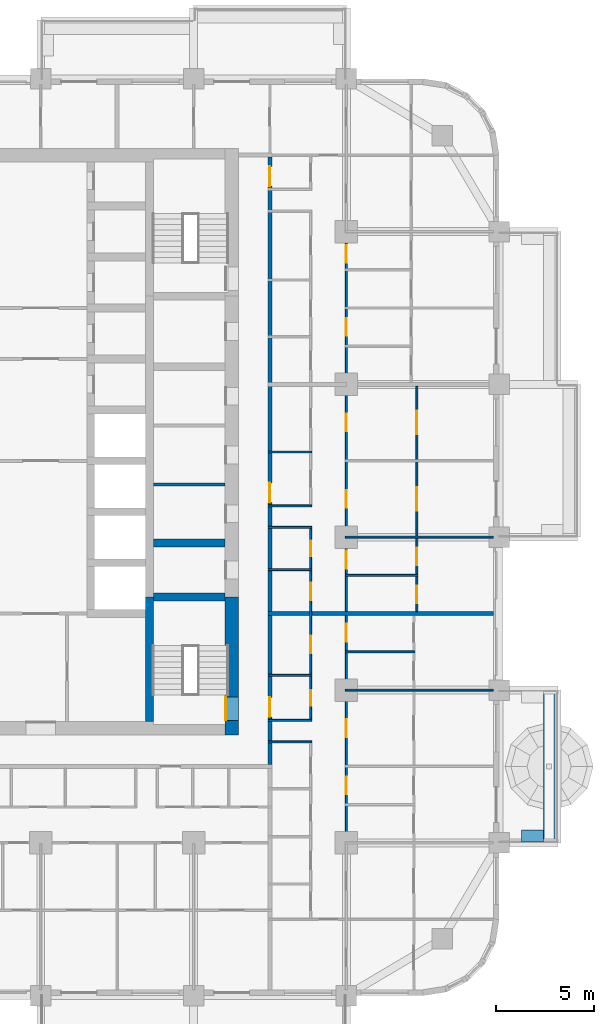
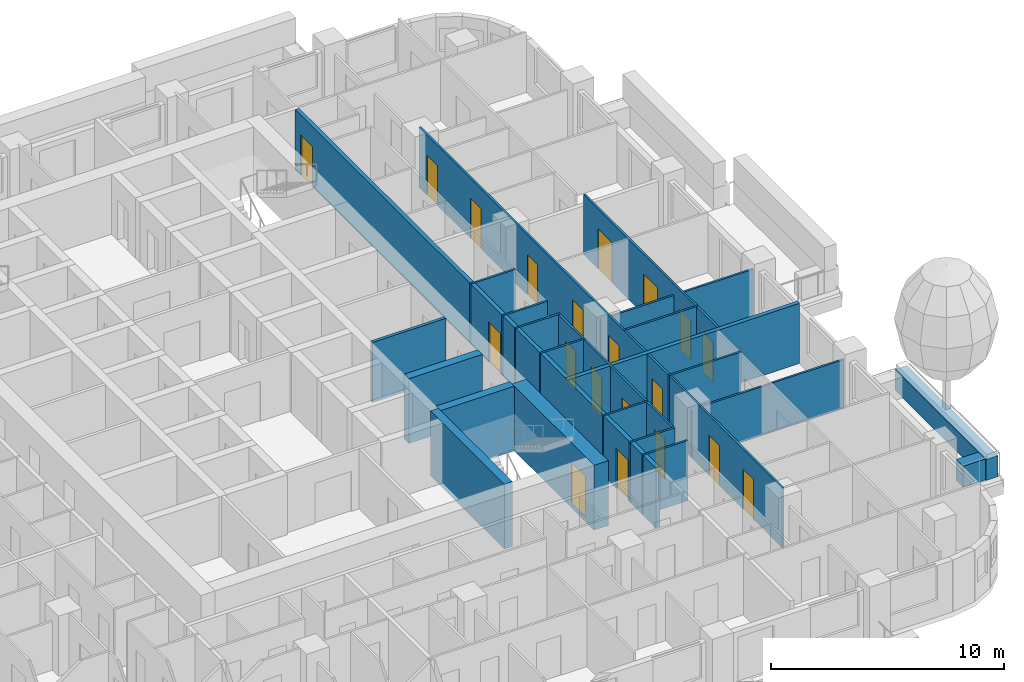
# One storey, part 9 of 19: 23 walls, 20 doors, 20 openings.
"""IFC4 building model written with IfcOpenShell, lengths in metres."""

import ifcopenshell
import ifcopenshell.guid

model = None  # the IFC model being written
_history = None  # IfcOwnerHistory: only IFC2X3 demands one
_inside = {}  # id of a spatial element -> (the spatial element, [elements in it])
_under = {}  # id of a project, library or spatial element -> (it, [spatial elements below it])
_declared = {}  # id of a project -> (the project, [libraries it declares])
_typed = {}  # id of a type object -> (the type object, [elements of that type])
_made_of = {}  # id of a material, layer set ... -> (it, [elements and type objects made of it])


def new_model(schema):
    """Start an empty IFC model of exactly this schema.

    Asked for "IFC4X3", IfcOpenShell would pick the latest addendum, in which some entities
    have other attributes; the version numbers below select the first issue.
    IFC2X3 requires an IfcOwnerHistory on every rooted entity: one is made here for all.
    """
    global model, _history
    if schema == "IFC4X3":
        model = ifcopenshell.file(schema_version=(4, 3, 0, 0))
    else:
        model = ifcopenshell.file(schema=schema)
    _inside.clear()
    _under.clear()
    _declared.clear()
    _typed.clear()
    _made_of.clear()
    _history = None
    if model.schema == "IFC2X3":
        org = make("IfcOrganization", Name="unknown")
        user = make(
            "IfcPersonAndOrganization",
            ThePerson=make("IfcPerson", FamilyName="unknown"),
            TheOrganization=org,
        )
        app = make(
            "IfcApplication",
            ApplicationDeveloper=org,
            Version="unknown",
            ApplicationFullName="unknown",
            ApplicationIdentifier="unknown",
        )
        _history = make(
            "IfcOwnerHistory",
            OwningUser=user,
            OwningApplication=app,
            ChangeAction="ADDED",
            CreationDate=0,
        )
    return model


def make(cls, **values):
    """One entity of the class cls with the attributes given. An attribute that is None is left unset."""
    return model.create_entity(
        cls, **{name: value for name, value in values.items() if value is not None}
    )


def rooted(cls, **values):
    """An entity with a GlobalId (a new one), such as an element, a storey or a relation."""
    return make(cls, GlobalId=ifcopenshell.guid.new(), OwnerHistory=_history, **values)


def si_unit(unit_type, name, prefix=None):
    """IfcSIUnit, for example si_unit("LENGTHUNIT", "METRE", prefix="MILLI")."""
    return make("IfcSIUnit", UnitType=unit_type, Prefix=prefix, Name=name)


def assignment(units):
    """IfcUnitAssignment: the units of a project."""
    return None if units is None else make("IfcUnitAssignment", Units=units)


def point(xyz):
    """IfcCartesianPoint."""
    return None if xyz is None else make("IfcCartesianPoint", Coordinates=xyz)


def direction(xyz):
    """IfcDirection."""
    return None if xyz is None else make("IfcDirection", DirectionRatios=xyz)


def frame(location, z_axis=None, x_axis=None):
    """IfcAxis2Placement3D, a coordinate frame: its origin and axes. An axis left out is left unset."""
    return make(
        "IfcAxis2Placement3D",
        Location=point(location),
        Axis=direction(z_axis),
        RefDirection=direction(x_axis),
    )


def frame_2d(location, x_axis=None):
    """IfcAxis2Placement2D, a coordinate frame in the plane: its origin and x axis."""
    return make(
        "IfcAxis2Placement2D", Location=point(location), RefDirection=direction(x_axis)
    )


def origin():
    """The frame at (0, 0, 0) with its axes left unset."""
    return frame((0.0, 0.0, 0.0))


def place(relative_to, where):
    """IfcLocalPlacement: puts the frame where relative to a parent placement (None: the world)."""
    return make(
        "IfcLocalPlacement", PlacementRelTo=relative_to, RelativePlacement=where
    )


def context(
    kind, dimensions, precision=None, world=None, true_north=None, identifier=None
):
    """IfcGeometricRepresentationContext, for example the 3D "Model" context."""
    return make(
        "IfcGeometricRepresentationContext",
        ContextIdentifier=identifier,
        ContextType=kind,
        CoordinateSpaceDimension=dimensions,
        Precision=precision,
        WorldCoordinateSystem=world,
        TrueNorth=true_north,
    )


def subcontext(parent, identifier, kind, view, scale=None):
    """IfcGeometricRepresentationSubContext, for example "Body" below "Model"."""
    return make(
        "IfcGeometricRepresentationSubContext",
        ContextIdentifier=identifier,
        ContextType=kind,
        ParentContext=parent,
        TargetScale=scale,
        TargetView=view,
    )


def project(units=None, contexts=None):
    """IfcProject with its units and contexts."""
    return rooted(
        "IfcProject",
        Name="project",
        RepresentationContexts=contexts,
        UnitsInContext=assignment(units),
    )


def spatial(cls, under=None, at=None, **own):
    """A site, building, storey or space (cls), placed at a placement, below another one or the project."""
    s = rooted(cls, ObjectPlacement=at, **own)
    if under is not None:
        _under.setdefault(under.id(), (under, []))[1].append(s)
    return s


def profile(cls, at=None, kind="AREA", **sizes):
    """A parametric profile (cls). Its sizes go by their IFC names, for example OverallWidth=200.0."""
    return make(cls, ProfileType=kind, Position=at, **sizes)


def rectangle(**sizes):
    """IfcRectangleProfileDef."""
    return profile("IfcRectangleProfileDef", **sizes)


def extrude(swept, where, along, depth):
    """IfcExtrudedAreaSolid: the profile swept, set in the frame where, extruded along a direction by depth."""
    return make(
        "IfcExtrudedAreaSolid",
        SweptArea=swept,
        Position=where,
        ExtrudedDirection=direction(along),
        Depth=depth,
    )


def shape(context_of_items, identifier, shape_type, items):
    """IfcShapeRepresentation: the items that make up one representation, for example the "Body"."""
    return make(
        "IfcShapeRepresentation",
        ContextOfItems=context_of_items,
        RepresentationIdentifier=identifier,
        RepresentationType=shape_type,
        Items=items,
    )


def material(Name=None, Category=None):
    """IfcMaterial."""
    return make("IfcMaterial", Name=Name, Category=Category)


def layer(
    of_material, thickness, ventilated=None, Name=None, Category=None, Priority=None
):
    """IfcMaterialLayer: one layer of a wall or slab, of a material (None: an air gap)."""
    return make(
        "IfcMaterialLayer",
        Material=of_material,
        LayerThickness=thickness,
        IsVentilated=ventilated,
        Name=Name,
        Category=Category,
        Priority=Priority,
    )


def layer_set(layers, Name=None):
    """IfcMaterialLayerSet."""
    return make("IfcMaterialLayerSet", MaterialLayers=layers, LayerSetName=Name)


def made_of(thing, what):
    """Note that an element or type object is made of a material, layer set ...; save() writes the relation."""
    if what is not None:
        _made_of.setdefault(what.id(), (what, []))[1].append(thing)
    return thing


def type_object(cls, material=None, **own):
    """A type object (cls), such as IfcWallType, which elements share."""
    return made_of(rooted(cls, **own), material)


def element(
    cls,
    number,
    at=None,
    inside=None,
    cuts=None,
    type_object=None,
    material=None,
    context=None,
    identifier="Body",
    shape_type=None,
    held_by="IfcProductDefinitionShape",
    body=None,
    shapes=None,
    **own,
):
    """One element of the class cls, such as IfcWall. Its Tag is "e" and its number.

    at: its placement. inside: the storey or other place that contains it. cuts: it is an
    opening in that element (IfcRelVoidsElement). A single representation is given by context,
    identifier, shape_type and body (its items); several are given by shapes. held_by: the class
    of the entity that holds the representations. save() writes the other relations.
    """
    e = rooted(cls, Tag="e%d" % number, ObjectPlacement=at, **own)
    if body is not None:
        shapes = [shape(context, identifier, shape_type, body)]
    if shapes is not None:
        e.Representation = make(held_by, Representations=shapes)
    if inside is not None:
        _inside.setdefault(inside.id(), (inside, []))[1].append(e)
    if cuts is not None:
        rooted(
            "IfcRelVoidsElement", RelatingBuildingElement=cuts, RelatedOpeningElement=e
        )
    if type_object is not None:
        _typed.setdefault(type_object.id(), (type_object, []))[1].append(e)
    return made_of(e, material)


def fill(opening, filler):
    """IfcRelFillsElement: the door or window that sits in an opening."""
    return rooted(
        "IfcRelFillsElement",
        RelatingOpeningElement=opening,
        RelatedBuildingElement=filler,
    )


def aggregate(whole, parts):
    """IfcRelAggregates: a whole, such as a stair, and the parts it consists of."""
    return rooted("IfcRelAggregates", RelatingObject=whole, RelatedObjects=parts)


def save(model, path):
    """Write the relations noted so far, then the file.

    IfcRelAggregates (storeys below a building ...), IfcRelContainedInSpatialStructure (elements
    in a storey), IfcRelDefinesByType, IfcRelAssociatesMaterial and IfcRelDeclares: one each for
    every whole, place, type object, material and project.
    """
    for whole, parts in _under.values():
        aggregate(whole, parts)
    for where, things in _inside.values():
        rooted(
            "IfcRelContainedInSpatialStructure",
            RelatedElements=things,
            RelatingStructure=where,
        )
    for kind, things in _typed.values():
        rooted("IfcRelDefinesByType", RelatedObjects=things, RelatingType=kind)
    for what, things in _made_of.values():
        rooted("IfcRelAssociatesMaterial", RelatedObjects=things, RelatingMaterial=what)
    for by, libraries in _declared.values():
        rooted("IfcRelDeclares", RelatingContext=by, RelatedDefinitions=libraries)
    model.write(path)


model = new_model("IFC4")

# Units and contexts
model_context = context("Model", 3, precision=1e-05, world=origin(), true_north=direction((0.0, 1.0)))
body_context = subcontext(model_context, "Body", "Model", "MODEL_VIEW")
ifc_project = project(units=[si_unit("LENGTHUNIT", "METRE"), si_unit("AREAUNIT", "SQUARE_METRE"), si_unit("VOLUMEUNIT", "CUBIC_METRE"), si_unit("PLANEANGLEUNIT", "RADIAN"), si_unit("MASSUNIT", "GRAM", prefix="KILO")], contexts=[model_context])

# Site, building, storey
site_placement = place(None, origin())
site = spatial("IfcSite", under=ifc_project, at=site_placement, CompositionType="ELEMENT")
building_placement = place(site_placement, origin())
building = spatial("IfcBuilding", under=site, at=building_placement, Name="Ludao Terraces", CompositionType="ELEMENT")
storey_placement = place(building_placement, frame((0.0, 0.0, 36.5)))
storey = spatial("IfcBuildingStorey", under=building, at=storey_placement, Name="L09", CompositionType="ELEMENT", Elevation=36.5)

# Wall, opening, door
ifc_material_1 = material(Name="Concrete C70", Category="concrete")
ifc_layer_1 = layer(ifc_material_1, 0.699951171875)
ifc_layer_set_1 = layer_set([ifc_layer_1], Name="Core wall 700 C70")
wall_type_1 = type_object("IfcWallType", Name="Core wall 700 C70", PredefinedType="SOLIDWALL", material=ifc_layer_set_1)
wall_1_placement = place(storey_placement, frame((94.75, 54.89990234375, -0.25), z_axis=(0.0, 0.0, 1.0), x_axis=(0.0, 1.0, 0.0)))
wall_1 = element("IfcWall", 1, at=wall_1_placement, inside=storey, type_object=wall_type_1, Name="Core wall L09 outer-E-S3", PredefinedType="SOLIDWALL", context=body_context, shape_type="SweptSolid", body=[
    extrude(rectangle(XDim=7.050048828125, YDim=0.699951171875, at=frame_2d((3.52490234375, 0.0))), origin(), (0.0, 0.0, 1.0), 3.39990234375),
])
opening_1_placement = place(wall_1_placement, frame((0.75, 0.0, 0.25)))
opening_1 = element("IfcOpeningElement", 2, at=opening_1_placement, cuts=wall_1, Name="Opening R02-056", PredefinedType="OPENING", context=body_context, shape_type="SweptSolid", body=[
    extrude(rectangle(XDim=1.199951171875, YDim=2.10009765625, at=frame_2d((0.60009765625, 1.050048828125))), frame((0.0, 0.35986328125, 0.0), z_axis=(0.0, -1.0, 0.0), x_axis=(1.0, 0.0, 0.0)), (0.0, 0.0, 1.0), 0.719970703125),
])
ifc_material_2 = material(Name="Steel Q235", Category="steel")
door_type_1 = type_object("IfcDoorType", Name="INT Stair door 1200", OperationType="DOUBLE_DOOR_SINGLE_SWING", PredefinedType="DOOR", material=ifc_material_2)
door_1_placement = place(opening_1_placement, origin())
door_1 = element("IfcDoor", 3, at=door_1_placement, inside=storey, type_object=door_type_1, Name="DOOR 056", OperationType="DOUBLE_DOOR_SINGLE_SWING", OverallHeight=2.10009765625, OverallWidth=1.199951171875, PredefinedType="DOOR", context=body_context, shape_type="SweptSolid", body=[
    extrude(rectangle(XDim=1.199951171875, YDim=2.10009765625, at=frame_2d((0.60009765625, 1.050048828125))), frame((0.0, 0.3349609375, 0.0), z_axis=(0.0, -1.0, 0.0), x_axis=(1.0, 0.0, 0.0)), (0.0, 0.0, 1.0), 0.050048828125),
])
fill(opening_1, door_1)

# Walls
ifc_material_3 = material(Name="Concrete C40", Category="concrete")
ifc_layer_2 = layer(ifc_material_3, 0.60009765625)
ifc_layer_set_2 = layer_set([ifc_layer_2], Name="ENV Planter trough 600")
wall_type_2 = type_object("IfcWallType", Name="ENV Planter trough 600", PredefinedType="USERDEFINED", material=ifc_layer_set_2)
wall_2_placement = place(storey_placement, frame((110.949951171875, 49.39990234375, 0.0), z_axis=(0.0, 0.0, 1.0), x_axis=(0.0, 1.0, 0.0)))
element("IfcWall", 4, at=wall_2_placement, inside=storey, type_object=wall_type_2, Name="PL-L09-E1", ObjectType="PLANTER", PredefinedType="USERDEFINED", context=body_context, shape_type="SweptSolid", body=[
    extrude(rectangle(XDim=7.800048828125, YDim=0.60009765625, at=frame_2d((3.89990234375, 0.0))), origin(), (0.0, 0.0, 1.0), 1.10009765625),
])
wall_3_placement = place(storey_placement, frame((110.64990234375, 49.75, 0.0), z_axis=(0.0, 0.0, 1.0), x_axis=(-1.0, 0.0, 0.0)))
element("IfcWall", 5, at=wall_3_placement, inside=storey, type_object=wall_type_2, Name="PL-L09-E1-SA", ObjectType="PLANTER", PredefinedType="USERDEFINED", context=body_context, shape_type="SweptSolid", body=[
    extrude(rectangle(XDim=1.099853515625, YDim=0.60009765625, at=frame_2d((0.5498046875, 0.0))), origin(), (0.0, 0.0, 1.0), 1.10009765625),
])
ifc_material_4 = material(Name="Fire-rated gypsum plasterboard", Category="gypsum")
ifc_layer_3 = layer(ifc_material_4, 0.012451171875, Category="gypsum")
ifc_material_5 = material(Name="Mineral wool")
ifc_layer_4 = layer(ifc_material_5, 0.10009765625, Name="insulation")
ifc_layer_5 = layer(ifc_material_2, 0.02490234375, Name="stud")
ifc_layer_6 = layer(ifc_material_4, 0.012451171875, Category="gypsum")
ifc_layer_set_3 = layer_set([ifc_layer_3, ifc_layer_4, ifc_layer_5, ifc_layer_6], Name="INT Core partition 150")
wall_type_3 = type_object("IfcWallType", Name="INT Core partition 150", PredefinedType="PARTITIONING", material=ifc_layer_set_3)
wall_4_placement = place(storey_placement, frame((90.75, 67.699951171875, 0.0), z_axis=(0.0, 0.0, 1.0), x_axis=(1.0, 0.0, 0.0)))
element("IfcWall", 6, at=wall_4_placement, inside=storey, type_object=wall_type_3, Name="PW-L09-PW044", PredefinedType="PARTITIONING", context=body_context, shape_type="SweptSolid", body=[
    extrude(rectangle(XDim=3.650146484375, YDim=0.14990234375, at=frame_2d((1.8251953125, 0.0))), origin(), (0.0, 0.0, 1.0), 3.14990234375),
])

# Wall, openings, doors
ifc_material_6 = material(Name="Autoclaved aerated concrete block B06 A3.5", Category="concrete")
ifc_layer_7 = layer(ifc_material_6, 0.199951171875)
ifc_layer_set_4 = layer_set([ifc_layer_7], Name="INT Entrance wall 200")
wall_type_4 = type_object("IfcWallType", Name="INT Entrance wall 200", PredefinedType="PARTITIONING", material=ifc_layer_set_4)
wall_5_placement = place(storey_placement, frame((96.699951171875, 53.400146484375, 0.0), z_axis=(0.0, 0.0, 1.0), x_axis=(0.0, 1.0, 0.0)))
wall_5 = element("IfcWall", 7, at=wall_5_placement, inside=storey, type_object=wall_type_4, Name="PW-L09-PW116", PredefinedType="PARTITIONING", context=body_context, shape_type="SweptSolid", body=[
    extrude(rectangle(XDim=31.0, YDim=0.199951171875, at=frame_2d((15.5, 0.0))), origin(), (0.0, 0.0, 1.0), 3.14990234375),
])
opening_2_placement = place(wall_5_placement, frame((2.425048828125, 0.0, 0.0)))
opening_2 = element("IfcOpeningElement", 8, at=opening_2_placement, cuts=wall_5, Name="Opening R02-057", PredefinedType="OPENING", context=body_context, shape_type="SweptSolid", body=[
    extrude(rectangle(XDim=1.0, YDim=2.10009765625, at=frame_2d((0.5, 1.050048828125))), frame((0.0, 0.10986328125, 0.0), z_axis=(0.0, -1.0, 0.0), x_axis=(1.0, 0.0, 0.0)), (0.0, 0.0, 1.0), 0.219970703125),
])
opening_3_placement = place(wall_5_placement, frame((13.375, 0.0, 0.0)))
opening_3 = element("IfcOpeningElement", 9, at=opening_3_placement, cuts=wall_5, Name="Opening R02-093", PredefinedType="OPENING", context=body_context, shape_type="SweptSolid", body=[
    extrude(rectangle(XDim=1.0, YDim=2.10009765625, at=frame_2d((0.5, 1.050048828125))), frame((0.0, 0.10986328125, 0.0), z_axis=(0.0, -1.0, 0.0), x_axis=(1.0, 0.0, 0.0)), (0.0, 0.0, 1.0), 0.219970703125),
])
opening_4_placement = place(wall_5_placement, frame((29.52490234375, 0.0, 0.0)))
opening_4 = element("IfcOpeningElement", 10, at=opening_4_placement, cuts=wall_5, Name="Opening R02-151", PredefinedType="OPENING", context=body_context, shape_type="SweptSolid", body=[
    extrude(rectangle(XDim=1.0, YDim=2.10009765625, at=frame_2d((0.5, 1.050048828125))), frame((0.0, 0.10986328125, 0.0), z_axis=(0.0, -1.0, 0.0), x_axis=(1.0, 0.0, 0.0)), (0.0, 0.0, 1.0), 0.219970703125),
])
door_type_2 = type_object("IfcDoorType", Name="INT Flat entrance door 1000", OperationType="SINGLE_SWING_LEFT", PredefinedType="DOOR", material=ifc_material_2)
door_2_placement = place(opening_2_placement, origin())
door_2 = element("IfcDoor", 11, at=door_2_placement, inside=storey, type_object=door_type_2, Name="DOOR 057", OperationType="SINGLE_SWING_LEFT", OverallHeight=2.10009765625, OverallWidth=1.0, PredefinedType="DOOR", context=body_context, shape_type="SweptSolid", body=[
    extrude(rectangle(XDim=1.0, YDim=2.10009765625, at=frame_2d((0.5, 1.050048828125))), frame((0.0, 0.02490234375, 0.0), z_axis=(0.0, -1.0, 0.0), x_axis=(1.0, 0.0, 0.0)), (0.0, 0.0, 1.0), 0.050048828125),
])
fill(opening_2, door_2)
door_3_placement = place(opening_3_placement, origin())
door_3 = element("IfcDoor", 12, at=door_3_placement, inside=storey, type_object=door_type_2, Name="DOOR 093", OperationType="SINGLE_SWING_LEFT", OverallHeight=2.10009765625, OverallWidth=1.0, PredefinedType="DOOR", context=body_context, shape_type="SweptSolid", body=[
    extrude(rectangle(XDim=1.0, YDim=2.10009765625, at=frame_2d((0.5, 1.050048828125))), frame((0.0, 0.02490234375, 0.0), z_axis=(0.0, -1.0, 0.0), x_axis=(1.0, 0.0, 0.0)), (0.0, 0.0, 1.0), 0.050048828125),
])
fill(opening_3, door_3)
door_4_placement = place(opening_4_placement, origin())
door_4 = element("IfcDoor", 13, at=door_4_placement, inside=storey, type_object=door_type_2, Name="DOOR 151", OperationType="SINGLE_SWING_LEFT", OverallHeight=2.10009765625, OverallWidth=1.0, PredefinedType="DOOR", context=body_context, shape_type="SweptSolid", body=[
    extrude(rectangle(XDim=1.0, YDim=2.10009765625, at=frame_2d((0.5, 1.050048828125))), frame((0.0, 0.02490234375, 0.0), z_axis=(0.0, -1.0, 0.0), x_axis=(1.0, 0.0, 0.0)), (0.0, 0.0, 1.0), 0.050048828125),
])
fill(opening_4, door_4)

# Walls
ifc_material_7 = material(Name="Gypsum plasterboard", Category="gypsum")
ifc_layer_8 = layer(ifc_material_7, 0.012451171875, Category="gypsum")
ifc_layer_9 = layer(ifc_material_5, 0.06005859375, Name="insulation")
ifc_layer_10 = layer(ifc_material_2, 0.014892578125, Name="stud")
ifc_layer_11 = layer(ifc_material_7, 0.012451171875, Category="gypsum")
ifc_layer_set_5 = layer_set([ifc_layer_8, ifc_layer_9, ifc_layer_10, ifc_layer_11], Name="INT Partition 100")
wall_type_5 = type_object("IfcWallType", Name="INT Partition 100", PredefinedType="PARTITIONING", material=ifc_layer_set_5)
for number, where, z_axis, x_axis, name in (
    (14, (96.60009765625, 54.550048828125, 0.0), (0.0, 0.0, 1.0), (1.0, 0.0, 0.0), "PW-L09-PW021"),
    (15, (96.60009765625, 55.64990234375, 0.0), (0.0, 0.0, 1.0), (1.0, 0.0, 0.0), "PW-L09-PW023"),
):
    element("IfcWall", number, at=place(storey_placement, frame(where, z_axis=z_axis, x_axis=x_axis)), inside=storey, type_object=wall_type_5, Name=name, PredefinedType="PARTITIONING", context=body_context, shape_type="SweptSolid", body=[
        extrude(rectangle(XDim=2.219970703125, YDim=0.10009765625, at=frame_2d((1.10986328125, 0.0))), origin(), (0.0, 0.0, 1.0), 3.14990234375),
    ])
wall_6_placement = place(storey_placement, frame((100.550048828125, 57.199951171875, 0.0), z_axis=(0.0, 0.0, 1.0), x_axis=(1.0, 0.0, 0.0)))
element("IfcWall", 16, at=wall_6_placement, inside=storey, type_object=wall_type_5, Name="PW-L09-PW026", PredefinedType="PARTITIONING", context=body_context, shape_type="SweptSolid", body=[
    extrude(rectangle(XDim=7.550048828125, YDim=0.10009765625, at=frame_2d((3.77490234375, 0.0))), origin(), (0.0, 0.0, 1.0), 2.550048828125),
])
wall_7_placement = place(storey_placement, frame((96.60009765625, 57.949951171875, 0.0), z_axis=(0.0, 0.0, 1.0), x_axis=(1.0, 0.0, 0.0)))
element("IfcWall", 17, at=wall_7_placement, inside=storey, type_object=wall_type_5, Name="PW-L09-PW028", PredefinedType="PARTITIONING", context=body_context, shape_type="SweptSolid", body=[
    extrude(rectangle(XDim=2.219970703125, YDim=0.10009765625, at=frame_2d((1.10986328125, 0.0))), origin(), (0.0, 0.0, 1.0), 3.14990234375),
])
wall_8_placement = place(storey_placement, frame((100.550048828125, 59.14990234375, 0.0), z_axis=(0.0, 0.0, 1.0), x_axis=(1.0, 0.0, 0.0)))
element("IfcWall", 18, at=wall_8_placement, inside=storey, type_object=wall_type_5, Name="PW-L09-PW030", PredefinedType="PARTITIONING", context=body_context, shape_type="SweptSolid", body=[
    extrude(rectangle(XDim=3.550048828125, YDim=0.10009765625, at=frame_2d((1.77490234375, 0.0))), origin(), (0.0, 0.0, 1.0), 3.14990234375),
])
wall_9_placement = place(storey_placement, frame((100.550048828125, 63.050048828125, 0.0), z_axis=(0.0, 0.0, 1.0), x_axis=(1.0, 0.0, 0.0)))
element("IfcWall", 19, at=wall_9_placement, inside=storey, type_object=wall_type_5, Name="PW-L09-PW035", PredefinedType="PARTITIONING", context=body_context, shape_type="SweptSolid", body=[
    extrude(rectangle(XDim=3.699951171875, YDim=0.10009765625, at=frame_2d((1.85009765625, 0.0))), origin(), (0.0, 0.0, 1.0), 3.14990234375),
])
wall_10_placement = place(storey_placement, frame((96.60009765625, 63.35009765625, 0.0), z_axis=(0.0, 0.0, 1.0), x_axis=(1.0, 0.0, 0.0)))
element("IfcWall", 20, at=wall_10_placement, inside=storey, type_object=wall_type_5, Name="PW-L09-PW037", PredefinedType="PARTITIONING", context=body_context, shape_type="SweptSolid", body=[
    extrude(rectangle(XDim=2.219970703125, YDim=0.10009765625, at=frame_2d((1.10986328125, 0.0))), origin(), (0.0, 0.0, 1.0), 3.14990234375),
])
wall_11_placement = place(storey_placement, frame((100.550048828125, 65.0, 0.0), z_axis=(0.0, 0.0, 1.0), x_axis=(1.0, 0.0, 0.0)))
element("IfcWall", 21, at=wall_11_placement, inside=storey, type_object=wall_type_5, Name="PW-L09-PW039", PredefinedType="PARTITIONING", context=body_context, shape_type="SweptSolid", body=[
    extrude(rectangle(XDim=7.550048828125, YDim=0.10009765625, at=frame_2d((3.77490234375, 0.0))), origin(), (0.0, 0.0, 1.0), 2.550048828125),
])
for number, where, z_axis, x_axis, name in (
    (22, (96.60009765625, 65.5, 0.0), (0.0, 0.0, 1.0), (1.0, 0.0, 0.0), "PW-L09-PW040"),
    (23, (96.60009765625, 66.60009765625, 0.0), (0.0, 0.0, 1.0), (1.0, 0.0, 0.0), "PW-L09-PW042"),
    (24, (96.60009765625, 69.35009765625, 0.0), (0.0, 0.0, 1.0), (1.0, 0.0, 0.0), "PW-L09-PW049"),
):
    element("IfcWall", number, at=place(storey_placement, frame(where, z_axis=z_axis, x_axis=x_axis)), inside=storey, type_object=wall_type_5, Name=name, PredefinedType="PARTITIONING", context=body_context, shape_type="SweptSolid", body=[
        extrude(rectangle(XDim=2.219970703125, YDim=0.10009765625, at=frame_2d((1.10986328125, 0.0))), origin(), (0.0, 0.0, 1.0), 3.14990234375),
    ])

# Wall, openings, doors
wall_12_placement = place(storey_placement, frame((98.77001953125, 55.7001953125, 0.0), z_axis=(0.0, 0.0, 1.0), x_axis=(0.0, 1.0, 0.0)))
wall_12 = element("IfcWall", 25, at=wall_12_placement, inside=storey, type_object=wall_type_5, Name="PW-L09-PW119", PredefinedType="PARTITIONING", context=body_context, shape_type="SweptSolid", body=[
    extrude(rectangle(XDim=9.75, YDim=0.10009765625, at=frame_2d((4.875, 0.0))), origin(), (0.0, 0.0, 1.0), 3.14990234375),
])
opening_5_placement = place(wall_12_placement, frame((0.699951171875, 0.0, 0.0)))
opening_5 = element("IfcOpeningElement", 26, at=opening_5_placement, cuts=wall_12, Name="Opening R02-060", PredefinedType="OPENING", context=body_context, shape_type="SweptSolid", body=[
    extrude(rectangle(XDim=0.800048828125, YDim=2.10009765625, at=frame_2d((0.39990234375, 1.050048828125))), frame((0.0, 0.06005859375, 0.0), z_axis=(0.0, -1.0, 0.0), x_axis=(1.0, 0.0, 0.0)), (0.0, 0.0, 1.0), 0.1201171875),
])
opening_6_placement = place(wall_12_placement, frame((3.375, 0.0, 0.0)))
opening_6 = element("IfcOpeningElement", 27, at=opening_6_placement, cuts=wall_12, Name="Opening R02-066", PredefinedType="OPENING", context=body_context, shape_type="SweptSolid", body=[
    extrude(rectangle(XDim=0.89990234375, YDim=2.10009765625, at=frame_2d((0.449951171875, 1.050048828125))), frame((0.0, 0.06005859375, 0.0), z_axis=(0.0, -1.0, 0.0), x_axis=(1.0, 0.0, 0.0)), (0.0, 0.0, 1.0), 0.1201171875),
])
opening_7_placement = place(wall_12_placement, frame((6.074951171875, 0.0, 0.0)))
opening_7 = element("IfcOpeningElement", 28, at=opening_7_placement, cuts=wall_12, Name="Opening R02-075", PredefinedType="OPENING", context=body_context, shape_type="SweptSolid", body=[
    extrude(rectangle(XDim=0.89990234375, YDim=2.10009765625, at=frame_2d((0.449951171875, 1.050048828125))), frame((0.0, 0.06005859375, 0.0), z_axis=(0.0, -1.0, 0.0), x_axis=(1.0, 0.0, 0.0)), (0.0, 0.0, 1.0), 0.1201171875),
])
opening_8_placement = place(wall_12_placement, frame((8.324951171875, 0.0, 0.0)))
opening_8 = element("IfcOpeningElement", 29, at=opening_8_placement, cuts=wall_12, Name="Opening R02-084", PredefinedType="OPENING", context=body_context, shape_type="SweptSolid", body=[
    extrude(rectangle(XDim=0.800048828125, YDim=2.10009765625, at=frame_2d((0.39990234375, 1.050048828125))), frame((0.0, 0.06005859375, 0.0), z_axis=(0.0, -1.0, 0.0), x_axis=(1.0, 0.0, 0.0)), (0.0, 0.0, 1.0), 0.1201171875),
])
ifc_material_8 = material(Name="Timber door leaf", Category="wood")
door_type_3 = type_object("IfcDoorType", Name="INT Bathroom door 900", OperationType="SINGLE_SWING_LEFT", PredefinedType="DOOR", material=ifc_material_8)
door_5_placement = place(opening_7_placement, origin())
door_5 = element("IfcDoor", 30, at=door_5_placement, inside=storey, type_object=door_type_3, Name="DOOR 075", OperationType="SINGLE_SWING_LEFT", OverallHeight=2.10009765625, OverallWidth=0.89990234375, PredefinedType="DOOR", context=body_context, shape_type="SweptSolid", body=[
    extrude(rectangle(XDim=0.89990234375, YDim=2.10009765625, at=frame_2d((0.449951171875, 1.050048828125))), frame((0.0, 0.02490234375, 0.0), z_axis=(0.0, -1.0, 0.0), x_axis=(1.0, 0.0, 0.0)), (0.0, 0.0, 1.0), 0.050048828125),
])
fill(opening_7, door_5)
door_type_4 = type_object("IfcDoorType", Name="INT Room door 900", OperationType="SINGLE_SWING_LEFT", PredefinedType="DOOR", material=ifc_material_8)
door_6_placement = place(opening_6_placement, origin())
door_6 = element("IfcDoor", 31, at=door_6_placement, inside=storey, type_object=door_type_4, Name="DOOR 066", OperationType="SINGLE_SWING_RIGHT", OverallHeight=2.10009765625, OverallWidth=0.89990234375, PredefinedType="DOOR", context=body_context, shape_type="SweptSolid", body=[
    extrude(rectangle(XDim=0.89990234375, YDim=2.10009765625, at=frame_2d((0.449951171875, 1.050048828125))), frame((0.0, 0.02490234375, 0.0), z_axis=(0.0, -1.0, 0.0), x_axis=(1.0, 0.0, 0.0)), (0.0, 0.0, 1.0), 0.050048828125),
])
fill(opening_6, door_6)
door_type_5 = type_object("IfcDoorType", Name="INT Store door 800", OperationType="SINGLE_SWING_LEFT", PredefinedType="DOOR", material=ifc_material_8)
door_7_placement = place(opening_5_placement, origin())
door_7 = element("IfcDoor", 32, at=door_7_placement, inside=storey, type_object=door_type_5, Name="DOOR 060", OperationType="SINGLE_SWING_LEFT", OverallHeight=2.10009765625, OverallWidth=0.800048828125, PredefinedType="DOOR", context=body_context, shape_type="SweptSolid", body=[
    extrude(rectangle(XDim=0.800048828125, YDim=2.10009765625, at=frame_2d((0.39990234375, 1.050048828125))), frame((0.0, 0.02490234375, 0.0), z_axis=(0.0, -1.0, 0.0), x_axis=(1.0, 0.0, 0.0)), (0.0, 0.0, 1.0), 0.050048828125),
])
fill(opening_5, door_7)
door_8_placement = place(opening_8_placement, origin())
door_8 = element("IfcDoor", 33, at=door_8_placement, inside=storey, type_object=door_type_5, Name="DOOR 084", OperationType="SINGLE_SWING_LEFT", OverallHeight=2.10009765625, OverallWidth=0.800048828125, PredefinedType="DOOR", context=body_context, shape_type="SweptSolid", body=[
    extrude(rectangle(XDim=0.800048828125, YDim=2.10009765625, at=frame_2d((0.39990234375, 1.050048828125))), frame((0.0, 0.02490234375, 0.0), z_axis=(0.0, -1.0, 0.0), x_axis=(1.0, 0.0, 0.0)), (0.0, 0.0, 1.0), 0.050048828125),
])
fill(opening_8, door_8)

wall_13_placement = place(storey_placement, frame((100.60009765625, 49.39990234375, 0.0), z_axis=(0.0, 0.0, 1.0), x_axis=(0.0, 1.0, 0.0)))
wall_13 = element("IfcWall", 34, at=wall_13_placement, inside=storey, type_object=wall_type_5, Name="PW-L09-PW122-2", PredefinedType="PARTITIONING", context=body_context, shape_type="SweptSolid", body=[
    extrude(rectangle(XDim=31.2001953125, YDim=0.10009765625, at=frame_2d((15.60009765625, 0.0))), origin(), (0.0, 0.0, 1.0), 3.14990234375),
])
opening_9_placement = place(wall_13_placement, frame((2.47509765625, 0.0, 0.0)))
opening_9 = element("IfcOpeningElement", 35, at=opening_9_placement, cuts=wall_13, Name="Opening R02-045", PredefinedType="OPENING", context=body_context, shape_type="SweptSolid", body=[
    extrude(rectangle(XDim=0.89990234375, YDim=2.10009765625, at=frame_2d((0.449951171875, 1.050048828125))), frame((0.0, 0.06005859375, 0.0), z_axis=(0.0, -1.0, 0.0), x_axis=(1.0, 0.0, 0.0)), (0.0, 0.0, 1.0), 0.1201171875),
])
opening_10_placement = place(wall_13_placement, frame((5.400146484375, 0.0, 0.0)))
opening_10 = element("IfcOpeningElement", 36, at=opening_10_placement, cuts=wall_13, Name="Opening R02-054", PredefinedType="OPENING", context=body_context, shape_type="SweptSolid", body=[
    extrude(rectangle(XDim=0.89990234375, YDim=2.10009765625, at=frame_2d((0.449951171875, 1.050048828125))), frame((0.0, 0.06005859375, 0.0), z_axis=(0.0, -1.0, 0.0), x_axis=(1.0, 0.0, 0.0)), (0.0, 0.0, 1.0), 0.1201171875),
])
opening_11_placement = place(wall_13_placement, frame((10.275146484375, 0.0, 0.0)))
opening_11 = element("IfcOpeningElement", 37, at=opening_11_placement, cuts=wall_13, Name="Opening R02-069", PredefinedType="OPENING", context=body_context, shape_type="SweptSolid", body=[
    extrude(rectangle(XDim=0.89990234375, YDim=2.10009765625, at=frame_2d((0.449951171875, 1.050048828125))), frame((0.0, 0.06005859375, 0.0), z_axis=(0.0, -1.0, 0.0), x_axis=(1.0, 0.0, 0.0)), (0.0, 0.0, 1.0), 0.1201171875),
])
opening_12_placement = place(wall_13_placement, frame((14.000244140625, 0.0, 0.0)))
opening_12 = element("IfcOpeningElement", 38, at=opening_12_placement, cuts=wall_13, Name="Opening R02-080", PredefinedType="OPENING", context=body_context, shape_type="SweptSolid", body=[
    extrude(rectangle(XDim=0.89990234375, YDim=2.10009765625, at=frame_2d((0.449951171875, 1.050048828125))), frame((0.0, 0.06005859375, 0.0), z_axis=(0.0, -1.0, 0.0), x_axis=(1.0, 0.0, 0.0)), (0.0, 0.0, 1.0), 0.1201171875),
])
opening_13_placement = place(wall_13_placement, frame((17.10009765625, 0.0, 0.0)))
opening_13 = element("IfcOpeningElement", 39, at=opening_13_placement, cuts=wall_13, Name="Opening R02-091", PredefinedType="OPENING", context=body_context, shape_type="SweptSolid", body=[
    extrude(rectangle(XDim=0.89990234375, YDim=2.10009765625, at=frame_2d((0.449951171875, 1.050048828125))), frame((0.0, 0.06005859375, 0.0), z_axis=(0.0, -1.0, 0.0), x_axis=(1.0, 0.0, 0.0)), (0.0, 0.0, 1.0), 0.1201171875),
])
opening_14_placement = place(wall_13_placement, frame((21.000244140625, 0.0, 0.0)))
opening_14 = element("IfcOpeningElement", 40, at=opening_14_placement, cuts=wall_13, Name="Opening R02-102", PredefinedType="OPENING", context=body_context, shape_type="SweptSolid", body=[
    extrude(rectangle(XDim=0.89990234375, YDim=2.10009765625, at=frame_2d((0.449951171875, 1.050048828125))), frame((0.0, 0.06005859375, 0.0), z_axis=(0.0, -1.0, 0.0), x_axis=(1.0, 0.0, 0.0)), (0.0, 0.0, 1.0), 0.1201171875),
])
opening_15_placement = place(wall_13_placement, frame((25.875244140625, 0.0, 0.0)))
opening_15 = element("IfcOpeningElement", 41, at=opening_15_placement, cuts=wall_13, Name="Opening R02-124", PredefinedType="OPENING", context=body_context, shape_type="SweptSolid", body=[
    extrude(rectangle(XDim=0.89990234375, YDim=2.10009765625, at=frame_2d((0.449951171875, 1.050048828125))), frame((0.0, 0.06005859375, 0.0), z_axis=(0.0, -1.0, 0.0), x_axis=(1.0, 0.0, 0.0)), (0.0, 0.0, 1.0), 0.1201171875),
])
opening_16_placement = place(wall_13_placement, frame((29.60009765625, 0.0, 0.0)))
opening_16 = element("IfcOpeningElement", 42, at=opening_16_placement, cuts=wall_13, Name="Opening R02-136", PredefinedType="OPENING", context=body_context, shape_type="SweptSolid", body=[
    extrude(rectangle(XDim=0.89990234375, YDim=2.10009765625, at=frame_2d((0.449951171875, 1.050048828125))), frame((0.0, 0.06005859375, 0.0), z_axis=(0.0, -1.0, 0.0), x_axis=(1.0, 0.0, 0.0)), (0.0, 0.0, 1.0), 0.1201171875),
])
door_9_placement = place(opening_9_placement, origin())
door_9 = element("IfcDoor", 43, at=door_9_placement, inside=storey, type_object=door_type_4, Name="DOOR 045", OperationType="SINGLE_SWING_RIGHT", OverallHeight=2.10009765625, OverallWidth=0.89990234375, PredefinedType="DOOR", context=body_context, shape_type="SweptSolid", body=[
    extrude(rectangle(XDim=0.89990234375, YDim=2.10009765625, at=frame_2d((0.449951171875, 1.050048828125))), frame((0.0, 0.02490234375, 0.0), z_axis=(0.0, -1.0, 0.0), x_axis=(1.0, 0.0, 0.0)), (0.0, 0.0, 1.0), 0.050048828125),
])
fill(opening_9, door_9)
door_10_placement = place(opening_10_placement, origin())
door_10 = element("IfcDoor", 44, at=door_10_placement, inside=storey, type_object=door_type_4, Name="DOOR 054", OperationType="SINGLE_SWING_RIGHT", OverallHeight=2.10009765625, OverallWidth=0.89990234375, PredefinedType="DOOR", context=body_context, shape_type="SweptSolid", body=[
    extrude(rectangle(XDim=0.89990234375, YDim=2.10009765625, at=frame_2d((0.449951171875, 1.050048828125))), frame((0.0, 0.02490234375, 0.0), z_axis=(0.0, -1.0, 0.0), x_axis=(1.0, 0.0, 0.0)), (0.0, 0.0, 1.0), 0.050048828125),
])
fill(opening_10, door_10)
door_11_placement = place(opening_11_placement, origin())
door_11 = element("IfcDoor", 45, at=door_11_placement, inside=storey, type_object=door_type_4, Name="DOOR 069", OperationType="SINGLE_SWING_LEFT", OverallHeight=2.10009765625, OverallWidth=0.89990234375, PredefinedType="DOOR", context=body_context, shape_type="SweptSolid", body=[
    extrude(rectangle(XDim=0.89990234375, YDim=2.10009765625, at=frame_2d((0.449951171875, 1.050048828125))), frame((0.0, 0.02490234375, 0.0), z_axis=(0.0, -1.0, 0.0), x_axis=(1.0, 0.0, 0.0)), (0.0, 0.0, 1.0), 0.050048828125),
])
fill(opening_11, door_11)
door_12_placement = place(opening_12_placement, origin())
door_12 = element("IfcDoor", 46, at=door_12_placement, inside=storey, type_object=door_type_4, Name="DOOR 080", OperationType="SINGLE_SWING_RIGHT", OverallHeight=2.10009765625, OverallWidth=0.89990234375, PredefinedType="DOOR", context=body_context, shape_type="SweptSolid", body=[
    extrude(rectangle(XDim=0.89990234375, YDim=2.10009765625, at=frame_2d((0.449951171875, 1.050048828125))), frame((0.0, 0.02490234375, 0.0), z_axis=(0.0, -1.0, 0.0), x_axis=(1.0, 0.0, 0.0)), (0.0, 0.0, 1.0), 0.050048828125),
])
fill(opening_12, door_12)
door_13_placement = place(opening_13_placement, origin())
door_13 = element("IfcDoor", 47, at=door_13_placement, inside=storey, type_object=door_type_4, Name="DOOR 091", OperationType="SINGLE_SWING_RIGHT", OverallHeight=2.10009765625, OverallWidth=0.89990234375, PredefinedType="DOOR", context=body_context, shape_type="SweptSolid", body=[
    extrude(rectangle(XDim=0.89990234375, YDim=2.10009765625, at=frame_2d((0.449951171875, 1.050048828125))), frame((0.0, 0.02490234375, 0.0), z_axis=(0.0, -1.0, 0.0), x_axis=(1.0, 0.0, 0.0)), (0.0, 0.0, 1.0), 0.050048828125),
])
fill(opening_13, door_13)
door_14_placement = place(opening_14_placement, origin())
door_14 = element("IfcDoor", 48, at=door_14_placement, inside=storey, type_object=door_type_4, Name="DOOR 102", OperationType="SINGLE_SWING_RIGHT", OverallHeight=2.10009765625, OverallWidth=0.89990234375, PredefinedType="DOOR", context=body_context, shape_type="SweptSolid", body=[
    extrude(rectangle(XDim=0.89990234375, YDim=2.10009765625, at=frame_2d((0.449951171875, 1.050048828125))), frame((0.0, 0.02490234375, 0.0), z_axis=(0.0, -1.0, 0.0), x_axis=(1.0, 0.0, 0.0)), (0.0, 0.0, 1.0), 0.050048828125),
])
fill(opening_14, door_14)
door_15_placement = place(opening_15_placement, origin())
door_15 = element("IfcDoor", 49, at=door_15_placement, inside=storey, type_object=door_type_4, Name="DOOR 124", OperationType="SINGLE_SWING_LEFT", OverallHeight=2.10009765625, OverallWidth=0.89990234375, PredefinedType="DOOR", context=body_context, shape_type="SweptSolid", body=[
    extrude(rectangle(XDim=0.89990234375, YDim=2.10009765625, at=frame_2d((0.449951171875, 1.050048828125))), frame((0.0, 0.02490234375, 0.0), z_axis=(0.0, -1.0, 0.0), x_axis=(1.0, 0.0, 0.0)), (0.0, 0.0, 1.0), 0.050048828125),
])
fill(opening_15, door_15)
door_16_placement = place(opening_16_placement, origin())
door_16 = element("IfcDoor", 50, at=door_16_placement, inside=storey, type_object=door_type_4, Name="DOOR 136", OperationType="SINGLE_SWING_RIGHT", OverallHeight=2.10009765625, OverallWidth=0.89990234375, PredefinedType="DOOR", context=body_context, shape_type="SweptSolid", body=[
    extrude(rectangle(XDim=0.89990234375, YDim=2.10009765625, at=frame_2d((0.449951171875, 1.050048828125))), frame((0.0, 0.02490234375, 0.0), z_axis=(0.0, -1.0, 0.0), x_axis=(1.0, 0.0, 0.0)), (0.0, 0.0, 1.0), 0.050048828125),
])
fill(opening_16, door_16)

wall_14_placement = place(storey_placement, frame((104.199951171875, 61.2001953125, 0.0), z_axis=(0.0, 0.0, 1.0), x_axis=(0.0, 1.0, 0.0)))
wall_14 = element("IfcWall", 51, at=wall_14_placement, inside=storey, type_object=wall_type_5, Name="PW-L09-PW125", PredefinedType="PARTITIONING", context=body_context, shape_type="SweptSolid", body=[
    extrude(rectangle(XDim=11.5, YDim=0.10009765625, at=frame_2d((5.75, 0.0))), origin(), (0.0, 0.0, 1.0), 3.14990234375),
])
opening_17_placement = place(wall_14_placement, frame((0.4248046875, 0.0, 0.0)))
opening_17 = element("IfcOpeningElement", 52, at=opening_17_placement, cuts=wall_14, Name="Opening R02-073", PredefinedType="OPENING", context=body_context, shape_type="SweptSolid", body=[
    extrude(rectangle(XDim=0.89990234375, YDim=2.10009765625, at=frame_2d((0.449951171875, 1.050048828125))), frame((0.0, 0.06005859375, 0.0), z_axis=(0.0, -1.0, 0.0), x_axis=(1.0, 0.0, 0.0)), (0.0, 0.0, 1.0), 0.1201171875),
])
opening_18_placement = place(wall_14_placement, frame((2.375, 0.0, 0.0)))
opening_18 = element("IfcOpeningElement", 53, at=opening_18_placement, cuts=wall_14, Name="Opening R02-082", PredefinedType="OPENING", context=body_context, shape_type="SweptSolid", body=[
    extrude(rectangle(XDim=0.89990234375, YDim=2.10009765625, at=frame_2d((0.449951171875, 1.050048828125))), frame((0.0, 0.06005859375, 0.0), z_axis=(0.0, -1.0, 0.0), x_axis=(1.0, 0.0, 0.0)), (0.0, 0.0, 1.0), 0.1201171875),
])
opening_19_placement = place(wall_14_placement, frame((5.14990234375, 0.0, 0.0)))
opening_19 = element("IfcOpeningElement", 54, at=opening_19_placement, cuts=wall_14, Name="Opening R02-092", PredefinedType="OPENING", context=body_context, shape_type="SweptSolid", body=[
    extrude(rectangle(XDim=1.199951171875, YDim=2.10009765625, at=frame_2d((0.60009765625, 1.050048828125))), frame((0.0, 0.06005859375, 0.0), z_axis=(0.0, -1.0, 0.0), x_axis=(1.0, 0.0, 0.0)), (0.0, 0.0, 1.0), 0.1201171875),
])
opening_20_placement = place(wall_14_placement, frame((9.0498046875, 0.0, 0.0)))
opening_20 = element("IfcOpeningElement", 55, at=opening_20_placement, cuts=wall_14, Name="Opening R02-103", PredefinedType="OPENING", context=body_context, shape_type="SweptSolid", body=[
    extrude(rectangle(XDim=1.199951171875, YDim=2.10009765625, at=frame_2d((0.60009765625, 1.050048828125))), frame((0.0, 0.06005859375, 0.0), z_axis=(0.0, -1.0, 0.0), x_axis=(1.0, 0.0, 0.0)), (0.0, 0.0, 1.0), 0.1201171875),
])
door_17_placement = place(opening_17_placement, origin())
door_17 = element("IfcDoor", 56, at=door_17_placement, inside=storey, type_object=door_type_3, Name="DOOR 073", OperationType="SINGLE_SWING_LEFT", OverallHeight=2.10009765625, OverallWidth=0.89990234375, PredefinedType="DOOR", context=body_context, shape_type="SweptSolid", body=[
    extrude(rectangle(XDim=0.89990234375, YDim=2.10009765625, at=frame_2d((0.449951171875, 1.050048828125))), frame((0.0, 0.02490234375, 0.0), z_axis=(0.0, -1.0, 0.0), x_axis=(1.0, 0.0, 0.0)), (0.0, 0.0, 1.0), 0.050048828125),
])
fill(opening_17, door_17)
door_type_6 = type_object("IfcDoorType", Name="INT Double door 1200", OperationType="DOUBLE_DOOR_SINGLE_SWING", PredefinedType="DOOR", material=ifc_material_8)
door_18_placement = place(opening_19_placement, origin())
door_18 = element("IfcDoor", 57, at=door_18_placement, inside=storey, type_object=door_type_6, Name="DOOR 092", OperationType="DOUBLE_DOOR_SINGLE_SWING", OverallHeight=2.10009765625, OverallWidth=1.199951171875, PredefinedType="DOOR", context=body_context, shape_type="SweptSolid", body=[
    extrude(rectangle(XDim=1.199951171875, YDim=2.10009765625, at=frame_2d((0.60009765625, 1.050048828125))), frame((0.0, 0.02490234375, 0.0), z_axis=(0.0, -1.0, 0.0), x_axis=(1.0, 0.0, 0.0)), (0.0, 0.0, 1.0), 0.050048828125),
])
fill(opening_19, door_18)
door_19_placement = place(opening_20_placement, origin())
door_19 = element("IfcDoor", 58, at=door_19_placement, inside=storey, type_object=door_type_6, Name="DOOR 103", OperationType="DOUBLE_DOOR_SINGLE_SWING", OverallHeight=2.10009765625, OverallWidth=1.199951171875, PredefinedType="DOOR", context=body_context, shape_type="SweptSolid", body=[
    extrude(rectangle(XDim=1.199951171875, YDim=2.10009765625, at=frame_2d((0.60009765625, 1.050048828125))), frame((0.0, 0.02490234375, 0.0), z_axis=(0.0, -1.0, 0.0), x_axis=(1.0, 0.0, 0.0)), (0.0, 0.0, 1.0), 0.050048828125),
])
fill(opening_20, door_19)
door_20_placement = place(opening_18_placement, origin())
door_20 = element("IfcDoor", 59, at=door_20_placement, inside=storey, type_object=door_type_4, Name="DOOR 082", OperationType="SINGLE_SWING_LEFT", OverallHeight=2.10009765625, OverallWidth=0.89990234375, PredefinedType="DOOR", context=body_context, shape_type="SweptSolid", body=[
    extrude(rectangle(XDim=0.89990234375, YDim=2.10009765625, at=frame_2d((0.449951171875, 1.050048828125))), frame((0.0, 0.02490234375, 0.0), z_axis=(0.0, -1.0, 0.0), x_axis=(1.0, 0.0, 0.0)), (0.0, 0.0, 1.0), 0.050048828125),
])
fill(opening_18, door_20)

# Walls
ifc_layer_12 = layer(ifc_material_6, 0.199951171875)
ifc_layer_set_6 = layer_set([ifc_layer_12], Name="INT Party wall 200")
wall_type_6 = type_object("IfcWallType", Name="INT Party wall 200", PredefinedType="PARTITIONING", material=ifc_layer_set_6)
wall_15_placement = place(storey_placement, frame((96.60009765625, 61.10009765625, 0.0), z_axis=(0.0, 0.0, 1.0), x_axis=(1.0, 0.0, 0.0)))
element("IfcWall", 60, at=wall_15_placement, inside=storey, type_object=wall_type_6, Name="PW-L09-PW033", PredefinedType="PARTITIONING", context=body_context, shape_type="SweptSolid", body=[
    extrude(rectangle(XDim=11.5, YDim=0.199951171875, at=frame_2d((5.75, 0.0))), origin(), (0.0, 0.0, 1.0), 3.14990234375),
])
ifc_material_9 = material(Name="Concrete C60", Category="concrete")
ifc_layer_13 = layer(ifc_material_9, 0.39990234375)
ifc_layer_set_7 = layer_set([ifc_layer_13], Name="Shaft wall 400 C60")
wall_type_7 = type_object("IfcWallType", Name="Shaft wall 400 C60", PredefinedType="SOLIDWALL", material=ifc_layer_set_7)
wall_16_placement = place(storey_placement, frame((90.550048828125, 55.60009765625, -0.25), z_axis=(0.0, 0.0, 1.0), x_axis=(0.0, 1.0, 0.0)))
element("IfcWall", 61, at=wall_16_placement, inside=storey, type_object=wall_type_7, Name="Core wall L09 back-E-S3", PredefinedType="SOLIDWALL", context=body_context, shape_type="SweptSolid", body=[
    extrude(rectangle(XDim=6.349853515625, YDim=0.39990234375, at=frame_2d((3.1748046875, 0.0))), origin(), (0.0, 0.0, 1.0), 3.39990234375),
])
for number, where, z_axis, x_axis, name in (
    (62, (90.75, 61.949951171875, -0.25), (0.0, 0.0, 1.0), (1.0, 0.0, 0.0), "Core wall L09 hall-E"),
    (63, (90.75, 64.699951171875, -0.25), (0.0, 0.0, 1.0), (1.0, 0.0, 0.0), "Core wall L09 riser-a-E"),
):
    element("IfcWall", number, at=place(storey_placement, frame(where, z_axis=z_axis, x_axis=x_axis)), inside=storey, type_object=wall_type_7, Name=name, PredefinedType="SOLIDWALL", context=body_context, shape_type="SweptSolid", body=[
        extrude(rectangle(XDim=3.64990234375, YDim=0.39990234375, at=frame_2d((1.824951171875, 0.0))), origin(), (0.0, 0.0, 1.0), 3.39990234375),
    ])

save(model, "model.ifc")
